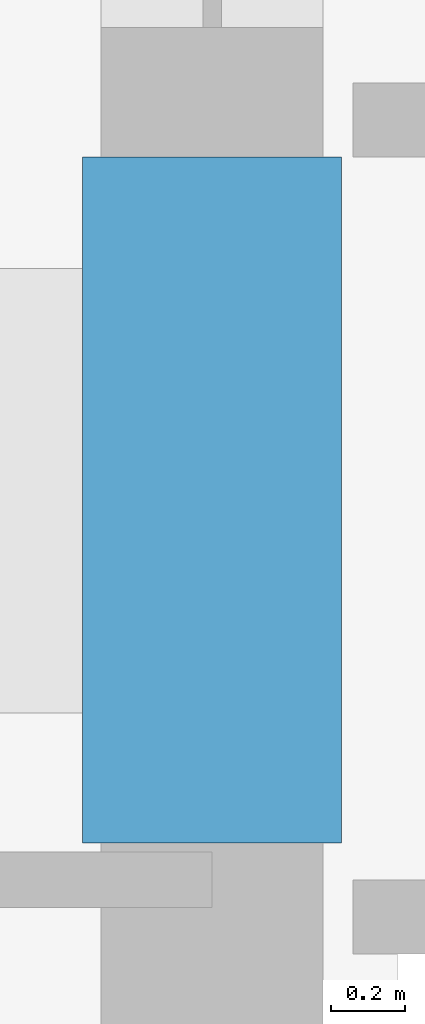
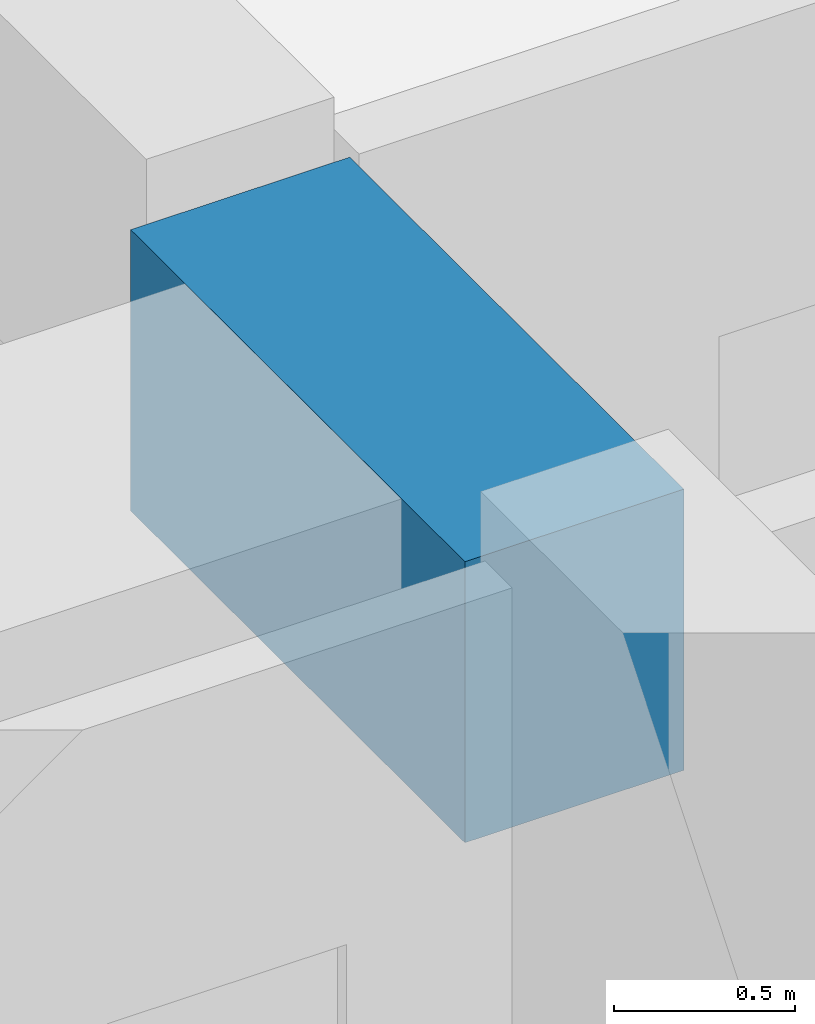
# One storey, part 5 of 34: 1 beam.
"""IFC4 building model written with IfcOpenShell, lengths in metres."""

from ifc_helpers import new_model, si_unit, direction, frame, origin, origin_2d, place, context, subcontext, project, spatial, rectangle, extrude, material, material_profile, profile_set, type_object, element, save


model = new_model("IFC4")

# Units and contexts
model_context = context("Model", 3, precision=1e-05, world=origin(), true_north=direction((0.0, 1.0)))
body_context = subcontext(model_context, "Body", "Model", "MODEL_VIEW")
ifc_project = project(units=[si_unit("LENGTHUNIT", "METRE"), si_unit("AREAUNIT", "SQUARE_METRE"), si_unit("VOLUMEUNIT", "CUBIC_METRE"), si_unit("PLANEANGLEUNIT", "RADIAN"), si_unit("MASSUNIT", "GRAM", prefix="KILO")], contexts=[model_context])

# Site, building, storey
site_placement = place(None, origin())
site = spatial("IfcSite", under=ifc_project, at=site_placement, CompositionType="ELEMENT")
building_placement = place(site_placement, origin())
building = spatial("IfcBuilding", under=site, at=building_placement, Name="Kolvaren Belvedere", CompositionType="ELEMENT")
storey_placement = place(building_placement, frame((0.0, 0.0, 105.199951171875)))
storey = spatial("IfcBuildingStorey", under=building, at=storey_placement, Name="L30", CompositionType="ELEMENT", Elevation=105.199951171875)

# Beam
ifc_material = material(Name="Concrete C60/75", Category="concrete")
ifc_material_profile = material_profile(ifc_material, rectangle(XDim=0.699951171875, YDim=0.949951171875, at=origin_2d()), Name="RC 700X950")
ifc_profile_set = profile_set([ifc_material_profile], Name="Concrete C60/75")
beam_type = type_object("IfcBeamType", Name="BM-LINT-950", PredefinedType="LINTEL", material=ifc_profile_set)
beam_placement = place(storey_placement, frame((-9.89990234375, -5.550048828125, 2.60498046875), z_axis=(0.0, 1.0, 0.0), x_axis=(-1.0, 0.0, 0.0)))
element("IfcBeam", 1, at=beam_placement, inside=storey, type_object=beam_type, Name="L30 West Core Coupling Lintel", PredefinedType="LINTEL", context=body_context, shape_type="SweptSolid", body=[
    extrude(rectangle(XDim=0.699951171875, YDim=0.949951171875, at=origin_2d()), origin(), (0.0, 0.0, 1.0), 1.85009765625),
])

save(model, "model.ifc")
